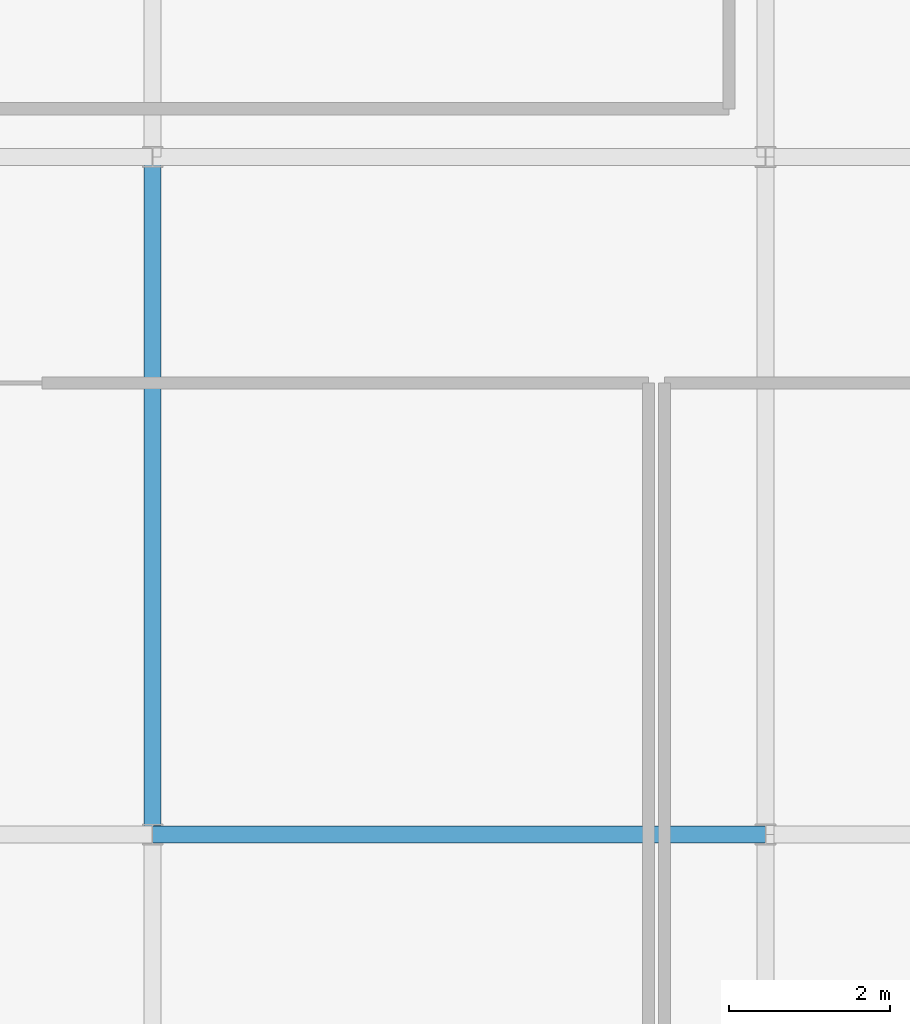
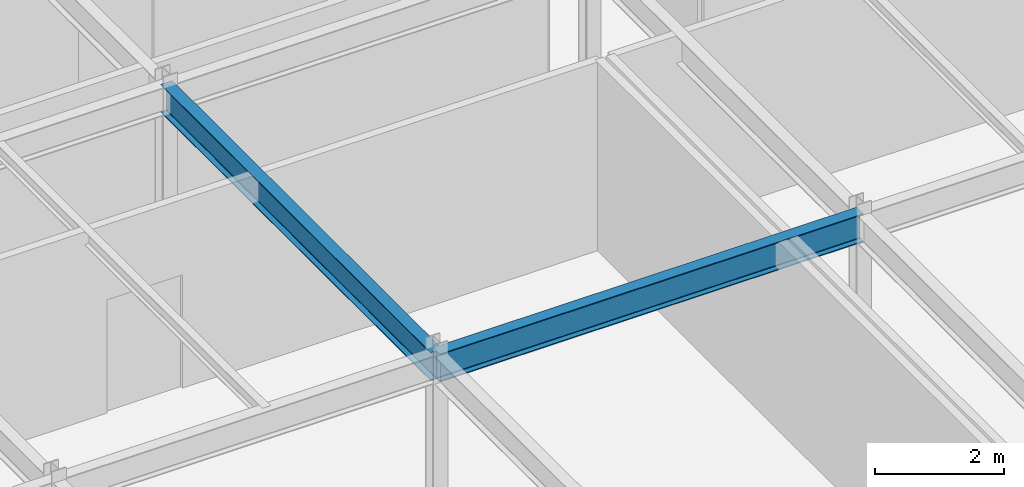
# One storey, part 9 of 36: 2 beams.
"""IFC4 building model written with IfcOpenShell, lengths in metres."""

import ifcopenshell
import ifcopenshell.guid

model = None  # the IFC model being written
_history = None  # IfcOwnerHistory: only IFC2X3 demands one
_inside = {}  # id of a spatial element -> (the spatial element, [elements in it])
_under = {}  # id of a project, library or spatial element -> (it, [spatial elements below it])
_declared = {}  # id of a project -> (the project, [libraries it declares])
_typed = {}  # id of a type object -> (the type object, [elements of that type])
_made_of = {}  # id of a material, layer set ... -> (it, [elements and type objects made of it])


def new_model(schema):
    """Start an empty IFC model of exactly this schema.

    Asked for "IFC4X3", IfcOpenShell would pick the latest addendum, in which some entities
    have other attributes; the version numbers below select the first issue.
    IFC2X3 requires an IfcOwnerHistory on every rooted entity: one is made here for all.
    """
    global model, _history
    if schema == "IFC4X3":
        model = ifcopenshell.file(schema_version=(4, 3, 0, 0))
    else:
        model = ifcopenshell.file(schema=schema)
    _inside.clear()
    _under.clear()
    _declared.clear()
    _typed.clear()
    _made_of.clear()
    _history = None
    if model.schema == "IFC2X3":
        org = make("IfcOrganization", Name="unknown")
        user = make(
            "IfcPersonAndOrganization",
            ThePerson=make("IfcPerson", FamilyName="unknown"),
            TheOrganization=org,
        )
        app = make(
            "IfcApplication",
            ApplicationDeveloper=org,
            Version="unknown",
            ApplicationFullName="unknown",
            ApplicationIdentifier="unknown",
        )
        _history = make(
            "IfcOwnerHistory",
            OwningUser=user,
            OwningApplication=app,
            ChangeAction="ADDED",
            CreationDate=0,
        )
    return model


def make(cls, **values):
    """One entity of the class cls with the attributes given. An attribute that is None is left unset."""
    return model.create_entity(
        cls, **{name: value for name, value in values.items() if value is not None}
    )


def rooted(cls, **values):
    """An entity with a GlobalId (a new one), such as an element, a storey or a relation."""
    return make(cls, GlobalId=ifcopenshell.guid.new(), OwnerHistory=_history, **values)


def si_unit(unit_type, name, prefix=None):
    """IfcSIUnit, for example si_unit("LENGTHUNIT", "METRE", prefix="MILLI")."""
    return make("IfcSIUnit", UnitType=unit_type, Prefix=prefix, Name=name)


def assignment(units):
    """IfcUnitAssignment: the units of a project."""
    return None if units is None else make("IfcUnitAssignment", Units=units)


def point(xyz):
    """IfcCartesianPoint."""
    return None if xyz is None else make("IfcCartesianPoint", Coordinates=xyz)


def direction(xyz):
    """IfcDirection."""
    return None if xyz is None else make("IfcDirection", DirectionRatios=xyz)


def frame(location, z_axis=None, x_axis=None):
    """IfcAxis2Placement3D, a coordinate frame: its origin and axes. An axis left out is left unset."""
    return make(
        "IfcAxis2Placement3D",
        Location=point(location),
        Axis=direction(z_axis),
        RefDirection=direction(x_axis),
    )


def frame_2d(location, x_axis=None):
    """IfcAxis2Placement2D, a coordinate frame in the plane: its origin and x axis."""
    return make(
        "IfcAxis2Placement2D", Location=point(location), RefDirection=direction(x_axis)
    )


def origin():
    """The frame at (0, 0, 0) with its axes left unset."""
    return frame((0.0, 0.0, 0.0))


def origin_2d():
    """The frame at (0, 0) in the plane with its x axis left unset."""
    return frame_2d((0.0, 0.0))


def place(relative_to, where):
    """IfcLocalPlacement: puts the frame where relative to a parent placement (None: the world)."""
    return make(
        "IfcLocalPlacement", PlacementRelTo=relative_to, RelativePlacement=where
    )


def context(
    kind, dimensions, precision=None, world=None, true_north=None, identifier=None
):
    """IfcGeometricRepresentationContext, for example the 3D "Model" context."""
    return make(
        "IfcGeometricRepresentationContext",
        ContextIdentifier=identifier,
        ContextType=kind,
        CoordinateSpaceDimension=dimensions,
        Precision=precision,
        WorldCoordinateSystem=world,
        TrueNorth=true_north,
    )


def subcontext(parent, identifier, kind, view, scale=None):
    """IfcGeometricRepresentationSubContext, for example "Body" below "Model"."""
    return make(
        "IfcGeometricRepresentationSubContext",
        ContextIdentifier=identifier,
        ContextType=kind,
        ParentContext=parent,
        TargetScale=scale,
        TargetView=view,
    )


def project(units=None, contexts=None):
    """IfcProject with its units and contexts."""
    return rooted(
        "IfcProject",
        Name="project",
        RepresentationContexts=contexts,
        UnitsInContext=assignment(units),
    )


def spatial(cls, under=None, at=None, **own):
    """A site, building, storey or space (cls), placed at a placement, below another one or the project."""
    s = rooted(cls, ObjectPlacement=at, **own)
    if under is not None:
        _under.setdefault(under.id(), (under, []))[1].append(s)
    return s


def profile(cls, at=None, kind="AREA", **sizes):
    """A parametric profile (cls). Its sizes go by their IFC names, for example OverallWidth=200.0."""
    return make(cls, ProfileType=kind, Position=at, **sizes)


def i_section(**sizes):
    """IfcIShapeProfileDef."""
    return profile("IfcIShapeProfileDef", **sizes)


def extrude(swept, where, along, depth):
    """IfcExtrudedAreaSolid: the profile swept, set in the frame where, extruded along a direction by depth."""
    return make(
        "IfcExtrudedAreaSolid",
        SweptArea=swept,
        Position=where,
        ExtrudedDirection=direction(along),
        Depth=depth,
    )


def shape(context_of_items, identifier, shape_type, items):
    """IfcShapeRepresentation: the items that make up one representation, for example the "Body"."""
    return make(
        "IfcShapeRepresentation",
        ContextOfItems=context_of_items,
        RepresentationIdentifier=identifier,
        RepresentationType=shape_type,
        Items=items,
    )


def source(mapping_origin, context_of_items, identifier, shape_type, items):
    """IfcRepresentationMap: a shape defined once, which mapped items show again and again."""
    return make(
        "IfcRepresentationMap",
        MappingOrigin=mapping_origin,
        MappedRepresentation=shape(context_of_items, identifier, shape_type, items),
    )


def transform(
    local_origin,
    x_axis=None,
    y_axis=None,
    z_axis=None,
    scale=None,
    scale2=None,
    scale3=None,
    uniform=True,
):
    """IfcCartesianTransformationOperator3D, or its non-uniform kind. x_axis, y_axis, z_axis: its Axis1, 2, 3."""
    if uniform:
        return make(
            "IfcCartesianTransformationOperator3D",
            Axis1=direction(x_axis),
            Axis2=direction(y_axis),
            LocalOrigin=point(local_origin),
            Scale=scale,
            Axis3=direction(z_axis),
        )
    return make(
        "IfcCartesianTransformationOperator3DnonUniform",
        Axis1=direction(x_axis),
        Axis2=direction(y_axis),
        LocalOrigin=point(local_origin),
        Scale=scale,
        Axis3=direction(z_axis),
        Scale2=scale2,
        Scale3=scale3,
    )


def mapped(mapping_source, mapping_target):
    """IfcMappedItem: shows the shape of a source again, moved by a transform."""
    return make(
        "IfcMappedItem", MappingSource=mapping_source, MappingTarget=mapping_target
    )


def material(Name=None, Category=None):
    """IfcMaterial."""
    return make("IfcMaterial", Name=Name, Category=Category)


def material_profile(
    of_material, cross_section, Name=None, Category=None, Priority=None
):
    """IfcMaterialProfile: a cross section and its material."""
    return make(
        "IfcMaterialProfile",
        Name=Name,
        Material=of_material,
        Profile=cross_section,
        Priority=Priority,
        Category=Category,
    )


def profile_set(profiles, Name=None, composite=None):
    """IfcMaterialProfileSet."""
    return make(
        "IfcMaterialProfileSet",
        Name=Name,
        MaterialProfiles=profiles,
        CompositeProfile=composite,
    )


def made_of(thing, what):
    """Note that an element or type object is made of a material, layer set ...; save() writes the relation."""
    if what is not None:
        _made_of.setdefault(what.id(), (what, []))[1].append(thing)
    return thing


def type_object(cls, material=None, **own):
    """A type object (cls), such as IfcWallType, which elements share."""
    return made_of(rooted(cls, **own), material)


def type_shapes(of_type, sources):
    """Give a type object the sources (RepresentationMaps) that its elements show as mapped items."""
    of_type.RepresentationMaps = sources


def element(
    cls,
    number,
    at=None,
    inside=None,
    cuts=None,
    type_object=None,
    material=None,
    context=None,
    identifier="Body",
    shape_type=None,
    held_by="IfcProductDefinitionShape",
    body=None,
    shapes=None,
    **own,
):
    """One element of the class cls, such as IfcWall. Its Tag is "e" and its number.

    at: its placement. inside: the storey or other place that contains it. cuts: it is an
    opening in that element (IfcRelVoidsElement). A single representation is given by context,
    identifier, shape_type and body (its items); several are given by shapes. held_by: the class
    of the entity that holds the representations. save() writes the other relations.
    """
    e = rooted(cls, Tag="e%d" % number, ObjectPlacement=at, **own)
    if body is not None:
        shapes = [shape(context, identifier, shape_type, body)]
    if shapes is not None:
        e.Representation = make(held_by, Representations=shapes)
    if inside is not None:
        _inside.setdefault(inside.id(), (inside, []))[1].append(e)
    if cuts is not None:
        rooted(
            "IfcRelVoidsElement", RelatingBuildingElement=cuts, RelatedOpeningElement=e
        )
    if type_object is not None:
        _typed.setdefault(type_object.id(), (type_object, []))[1].append(e)
    return made_of(e, material)


def aggregate(whole, parts):
    """IfcRelAggregates: a whole, such as a stair, and the parts it consists of."""
    return rooted("IfcRelAggregates", RelatingObject=whole, RelatedObjects=parts)


def save(model, path):
    """Write the relations noted so far, then the file.

    IfcRelAggregates (storeys below a building ...), IfcRelContainedInSpatialStructure (elements
    in a storey), IfcRelDefinesByType, IfcRelAssociatesMaterial and IfcRelDeclares: one each for
    every whole, place, type object, material and project.
    """
    for whole, parts in _under.values():
        aggregate(whole, parts)
    for where, things in _inside.values():
        rooted(
            "IfcRelContainedInSpatialStructure",
            RelatedElements=things,
            RelatingStructure=where,
        )
    for kind, things in _typed.values():
        rooted("IfcRelDefinesByType", RelatedObjects=things, RelatingType=kind)
    for what, things in _made_of.values():
        rooted("IfcRelAssociatesMaterial", RelatedObjects=things, RelatingMaterial=what)
    for by, libraries in _declared.values():
        rooted("IfcRelDeclares", RelatingContext=by, RelatedDefinitions=libraries)
    model.write(path)


model = new_model("IFC4")

# Units and contexts
model_context = context("Model", 3, precision=1e-05, world=origin(), true_north=direction((0.0, 1.0)))
body_context = subcontext(model_context, "Body", "Model", "MODEL_VIEW")
ifc_project = project(units=[si_unit("LENGTHUNIT", "METRE"), si_unit("AREAUNIT", "SQUARE_METRE"), si_unit("VOLUMEUNIT", "CUBIC_METRE"), si_unit("PLANEANGLEUNIT", "RADIAN"), si_unit("MASSUNIT", "GRAM", prefix="KILO")], contexts=[model_context])

# Site, building, storey
site_placement = place(None, origin())
site = spatial("IfcSite", under=ifc_project, at=site_placement, CompositionType="ELEMENT")
building_placement = place(site_placement, origin())
building = spatial("IfcBuilding", under=site, at=building_placement, Name="Tolvann Quenvar Hotel", CompositionType="ELEMENT")
storey_placement = place(building_placement, frame((0.0, 0.0, 298.550048828125)))
storey = spatial("IfcBuildingStorey", under=building, at=storey_placement, Name="L79", CompositionType="ELEMENT", Elevation=298.550048828125)

# Beams
ifc_material = material(Name="Steel Grade 350", Category="steel")
ifc_material_profile = material_profile(ifc_material, i_section(OverallWidth=0.208984375, OverallDepth=0.532958984375, WebThickness=0.01025390625, FlangeThickness=0.015625, FilletRadius=0.013916015625, at=origin_2d()), Name="530UB92")
ifc_profile_set = profile_set([ifc_material_profile], Name="Steel Grade 350")
beam_type = type_object("IfcBeamType", Name="BM_GIRD_530UB92", PredefinedType="BEAM", material=ifc_profile_set)
shared_shape_1 = source(origin(), body_context, "Body", "SweptSolid", [
    extrude(i_section(OverallWidth=0.208984375, OverallDepth=0.532958984375, WebThickness=0.01025390625, FlangeThickness=0.015625, FilletRadius=0.013916015625, at=origin_2d()), origin(), (0.0, 0.0, 1.0), 8.39990234375),
])
beam_1_placement = place(storey_placement, frame((14.449951171875, 16.0, 3.3134765625), z_axis=(0.0, 1.0, 0.0), x_axis=(-1.0, 0.0, 0.0)))
element("IfcBeam", 1, at=beam_1_placement, inside=storey, type_object=beam_type, Name="BM-L79-NS-D4-D5", PredefinedType="BEAM", context=body_context, shape_type="MappedRepresentation", body=[
    mapped(shared_shape_1, transform((0.0, 0.0, 0.0), x_axis=(1.0, 0.0, 0.0), y_axis=(0.0, 1.0, 0.0), z_axis=(0.0, 0.0, 1.0), scale=1.0)),
])
shared_shape_2 = source(origin(), body_context, "Body", "SweptSolid", [
    extrude(i_section(OverallWidth=0.208984375, OverallDepth=0.532958984375, WebThickness=0.01025390625, FlangeThickness=0.015625, FilletRadius=0.013916015625, at=origin_2d()), origin(), (0.0, 0.0, 1.0), 7.60009765625),
])
type_shapes(beam_type, [shared_shape_1, shared_shape_2])
beam_2_placement = place(storey_placement, frame((14.449951171875, 16.0, 3.3134765625), z_axis=(1.0, 0.0, 0.0), x_axis=(0.0, 1.0, 0.0)))
element("IfcBeam", 2, at=beam_2_placement, inside=storey, type_object=beam_type, Name="BM-L79-EW-4-D4-E4", PredefinedType="BEAM", context=body_context, shape_type="MappedRepresentation", body=[
    mapped(shared_shape_2, transform((0.0, 0.0, 0.0), x_axis=(1.0, 0.0, 0.0), y_axis=(0.0, 1.0, 0.0), z_axis=(0.0, 0.0, 1.0), scale=1.0)),
])

save(model, "model.ifc")
